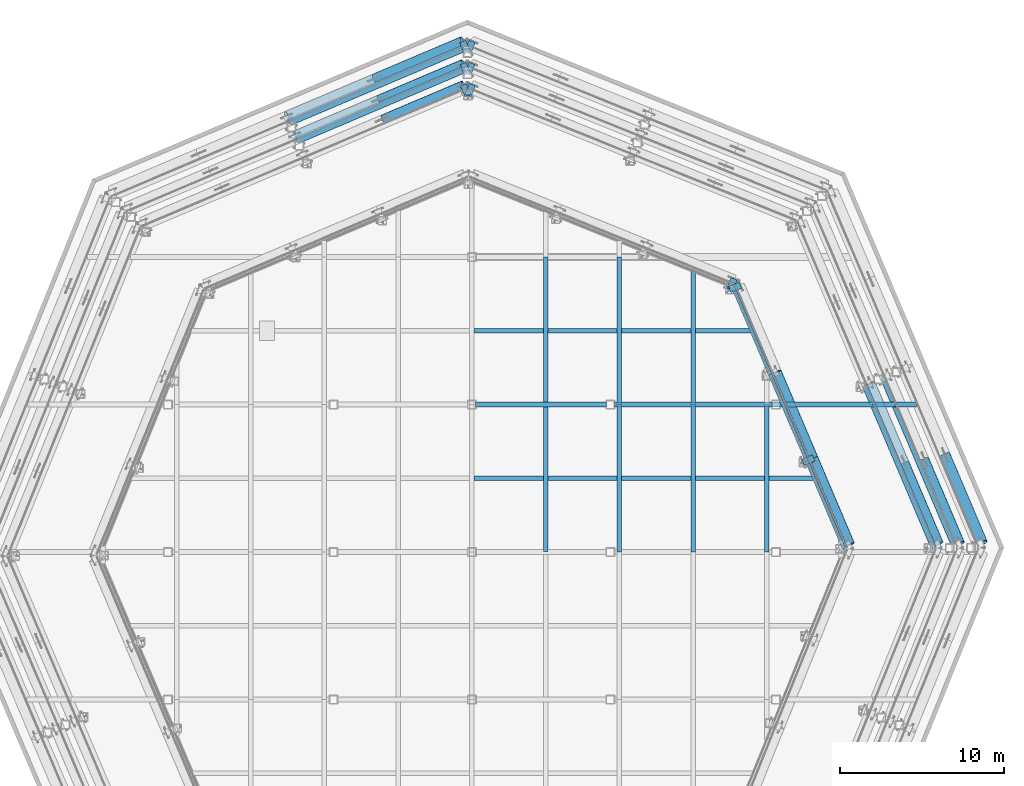
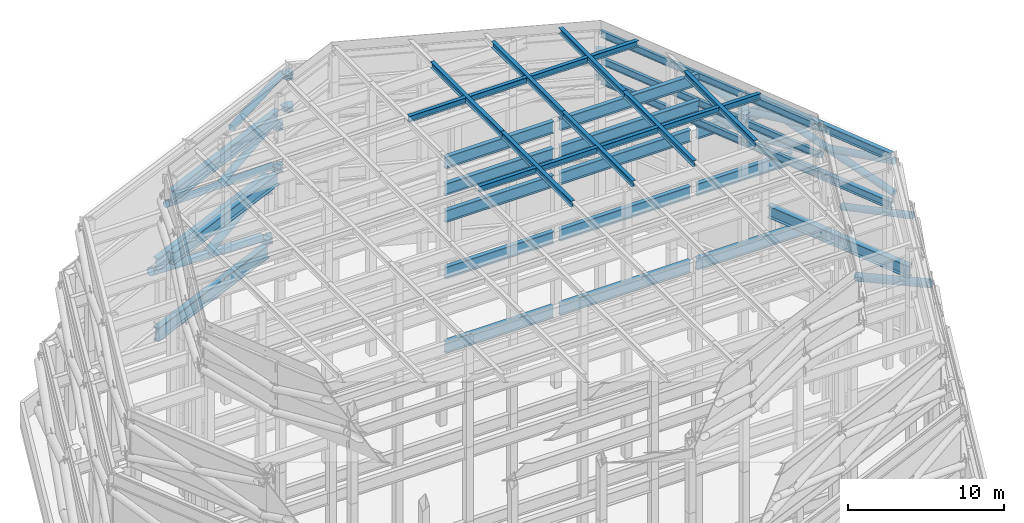
# One storey, part 11 of 19: 45 beams, 31 members.
"""IFC4 building model written with IfcOpenShell, lengths in metres."""

from ifc_helpers import new_model, si_unit, direction, frame, origin, origin_2d, place, context, subcontext, project, spatial, hollow_circle, i_section, extrude, material, material_profile, profile_set, type_object, element, save


model = new_model("IFC4")

# Units and contexts
model_context = context("Model", 3, precision=1e-05, world=origin(), true_north=direction((0.0, 1.0)))
body_context = subcontext(model_context, "Body", "Model", "MODEL_VIEW")
ifc_project = project(units=[si_unit("LENGTHUNIT", "METRE"), si_unit("AREAUNIT", "SQUARE_METRE"), si_unit("VOLUMEUNIT", "CUBIC_METRE"), si_unit("PLANEANGLEUNIT", "RADIAN"), si_unit("MASSUNIT", "GRAM", prefix="KILO")], contexts=[model_context])

# Site, building, storey
site_placement = place(None, origin())
site = spatial("IfcSite", under=ifc_project, at=site_placement, CompositionType="ELEMENT")
building_placement = place(site_placement, origin())
building = spatial("IfcBuilding", under=site, at=building_placement, Name="Orlundy Tower", CompositionType="ELEMENT")
storey_placement = place(building_placement, frame((0.0, 0.0, 304.300048828125)))
storey = spatial("IfcBuildingStorey", under=building, at=storey_placement, Name="Roof", CompositionType="ELEMENT", Elevation=304.300048828125)

# Beams
ifc_material_1 = material(Name="Steel ASTM A992 Gr 50", Category="steel")
ifc_material_profile_1 = material_profile(ifc_material_1, i_section(OverallWidth=0.2802734375, OverallDepth=0.46240234375, WebThickness=0.0107421875, FlangeThickness=0.017333984375, at=origin_2d()), Name="W18X76")
ifc_profile_set_1 = profile_set([ifc_material_profile_1], Name="Steel ASTM A992 Gr 50")
beam_type_1 = type_object("IfcBeamType", Name="CROWN FRAME beam W18X76", PredefinedType="BEAM", material=ifc_profile_set_1)
for number, where, z_axis, x_axis, name in (
    (1, (4.5, 0.0, 21.131103515625), (0.0, 1.0, 0.0), (-1.0, 0.0, 0.0), "CROWN FRAME secondary beam 07D"),
    (2, (4.5, 9.0, 21.131103515625), (0.0, 1.0, 0.0), (-1.0, 0.0, 0.0), "CROWN FRAME secondary beam 07E"),
    (3, (9.0, 0.0, 21.131103515625), (0.0, 1.0, 0.0), (-1.0, 0.0, 0.0), "CROWN FRAME secondary beam 08D"),
    (4, (9.0, 9.0, 21.131103515625), (0.0, 1.0, 0.0), (-1.0, 0.0, 0.0), "CROWN FRAME secondary beam 08E"),
    (5, (13.5, 0.0, 21.131103515625), (0.0, 1.0, 0.0), (-1.0, 0.0, 0.0), "CROWN FRAME secondary beam 09C"),
):
    element("IfcBeam", number, at=place(storey_placement, frame(where, z_axis=z_axis, x_axis=x_axis)), inside=storey, type_object=beam_type_1, Name=name, PredefinedType="BEAM", context=body_context, shape_type="SweptSolid", body=[
        extrude(i_section(OverallWidth=0.2802734375, OverallDepth=0.46240234375, WebThickness=0.0107421875, FlangeThickness=0.017333984375, at=origin_2d()), origin(), (0.0, 0.0, 1.0), 9.0),
    ])
beam_1_placement = place(storey_placement, frame((13.5, 9.0, 21.131103515625), z_axis=(0.0, 1.0, 0.0), x_axis=(-1.0, 0.0, 0.0)))
element("IfcBeam", 6, at=beam_1_placement, inside=storey, type_object=beam_type_1, Name="CROWN FRAME secondary beam 09D", PredefinedType="BEAM", context=body_context, shape_type="SweptSolid", body=[
    extrude(i_section(OverallWidth=0.2802734375, OverallDepth=0.46240234375, WebThickness=0.0107421875, FlangeThickness=0.017333984375, at=origin_2d()), origin(), (0.0, 0.0, 1.0), 8.180908203125),
])
beam_2_placement = place(storey_placement, frame((18.0, 0.0, 21.131103515625), z_axis=(0.0, 1.0, 0.0), x_axis=(-1.0, 0.0, 0.0)))
element("IfcBeam", 7, at=beam_2_placement, inside=storey, type_object=beam_type_1, Name="CROWN FRAME secondary beam 10C", PredefinedType="BEAM", context=body_context, shape_type="SweptSolid", body=[
    extrude(i_section(OverallWidth=0.2802734375, OverallDepth=0.46240234375, WebThickness=0.0107421875, FlangeThickness=0.017333984375, at=origin_2d()), origin(), (0.0, 0.0, 1.0), 9.0),
])
for number, where, z_axis, x_axis, name in (
    (8, (0.14013671875, 4.5, 21.131103515625), (1.0, 0.0, 0.0), (0.0, 1.0, 0.0), "CROWN FRAME cap cross beam 3F"),
    (9, (4.64013671875, 4.5, 21.131103515625), (1.0, 0.0, 0.0), (0.0, 1.0, 0.0), "CROWN FRAME cap cross beam 3G"),
    (10, (9.14013671875, 4.5, 21.131103515625), (1.0, 0.0, 0.0), (0.0, 1.0, 0.0), "CROWN FRAME cap cross beam 3H"),
    (11, (13.64013671875, 4.5, 21.131103515625), (1.0, 0.0, 0.0), (0.0, 1.0, 0.0), "CROWN FRAME cap cross beam 3I"),
):
    element("IfcBeam", number, at=place(storey_placement, frame(where, z_axis=z_axis, x_axis=x_axis)), inside=storey, type_object=beam_type_1, Name=name, PredefinedType="BEAM", context=body_context, shape_type="SweptSolid", body=[
        extrude(i_section(OverallWidth=0.2802734375, OverallDepth=0.46240234375, WebThickness=0.0107421875, FlangeThickness=0.017333984375, at=origin_2d()), origin(), (0.0, 0.0, 1.0), 4.2197265625),
    ])
beam_3_placement = place(storey_placement, frame((18.14013671875, 4.5, 21.131103515625), z_axis=(1.0, 0.0, 0.0), x_axis=(0.0, 1.0, 0.0)))
element("IfcBeam", 12, at=beam_3_placement, inside=storey, type_object=beam_type_1, Name="CROWN FRAME cap cross beam 3J", PredefinedType="BEAM", context=body_context, shape_type="SweptSolid", body=[
    extrude(i_section(OverallWidth=0.2802734375, OverallDepth=0.46240234375, WebThickness=0.0107421875, FlangeThickness=0.017333984375, at=origin_2d()), origin(), (0.0, 0.0, 1.0), 2.749267578125),
])
for number, where, z_axis, x_axis, name in (
    (13, (0.14013671875, 13.5, 21.131103515625), (1.0, 0.0, 0.0), (0.0, 1.0, 0.0), "CROWN FRAME cap cross beam 4E"),
    (14, (4.64013671875, 13.5, 21.131103515625), (1.0, 0.0, 0.0), (0.0, 1.0, 0.0), "CROWN FRAME cap cross beam 4F"),
    (15, (9.14013671875, 13.5, 21.131103515625), (1.0, 0.0, 0.0), (0.0, 1.0, 0.0), "CROWN FRAME cap cross beam 4G"),
):
    element("IfcBeam", number, at=place(storey_placement, frame(where, z_axis=z_axis, x_axis=x_axis)), inside=storey, type_object=beam_type_1, Name=name, PredefinedType="BEAM", context=body_context, shape_type="SweptSolid", body=[
        extrude(i_section(OverallWidth=0.2802734375, OverallDepth=0.46240234375, WebThickness=0.0107421875, FlangeThickness=0.017333984375, at=origin_2d()), origin(), (0.0, 0.0, 1.0), 4.2197265625),
    ])
beam_4_placement = place(storey_placement, frame((13.64013671875, 13.5, 21.131103515625), z_axis=(1.0, 0.0, 0.0), x_axis=(0.0, 1.0, 0.0)))
element("IfcBeam", 16, at=beam_4_placement, inside=storey, type_object=beam_type_1, Name="CROWN FRAME cap cross beam 4H", PredefinedType="BEAM", context=body_context, shape_type="SweptSolid", body=[
    extrude(i_section(OverallWidth=0.2802734375, OverallDepth=0.46240234375, WebThickness=0.0107421875, FlangeThickness=0.017333984375, at=origin_2d()), origin(), (0.0, 0.0, 1.0), 3.4287109375),
])
ifc_material_2 = material(Name="Steel ASTM A992 Gr 50", Category="steel")
ifc_material_profile_2 = material_profile(ifc_material_2, i_section(OverallWidth=0.2138671875, OverallDepth=0.549072265625, WebThickness=0.0146484375, FlangeThickness=0.023681640625, at=origin_2d()), Name="W21X93")
ifc_profile_set_2 = profile_set([ifc_material_profile_2], Name="Steel ASTM A992 Gr 50")
beam_type_2 = type_object("IfcBeamType", Name="CROWN FRAME beam W21X93", PredefinedType="BEAM", material=ifc_profile_set_2)
beam_5_placement = place(storey_placement, frame((22.715087890625, 0.198486328125, 16.974365234375), z_axis=(-0.390721951602, 0.920508748756, 0.0), x_axis=(-0.920508748756, -0.390721951602, 0.0)))
element("IfcBeam", 17, at=beam_5_placement, inside=storey, type_object=beam_type_2, Name="CROWN FRAME foot ring beam 4-22", PredefinedType="BEAM", context=body_context, shape_type="SweptSolid", body=[
    extrude(i_section(OverallWidth=0.2138671875, OverallDepth=0.549072265625, WebThickness=0.0146484375, FlangeThickness=0.023681640625, at=origin_2d()), origin(), (0.0, 0.0, 1.0), 5.82861328125),
])
beam_6_placement = place(storey_placement, frame((20.437744140625, 5.563720703125, 16.974365234375), z_axis=(-0.390743549049, 0.920499581139, 0.0), x_axis=(-0.920499581139, -0.390743549049, 0.0)))
element("IfcBeam", 18, at=beam_6_placement, inside=storey, type_object=beam_type_2, Name="CROWN FRAME foot ring beam 4-23", PredefinedType="BEAM", context=body_context, shape_type="SweptSolid", body=[
    extrude(i_section(OverallWidth=0.2138671875, OverallDepth=0.549072265625, WebThickness=0.0146484375, FlangeThickness=0.023681640625, at=origin_2d()), origin(), (0.0, 0.0, 1.0), 5.72900390625),
])
for number, where, z_axis, x_axis, name in (
    (19, (18.19921875, 10.837158203125, 16.974365234375), (-0.390721951602, 0.920508748756, 0.0), (-0.920508748756, -0.390721951602, 0.0), "CROWN FRAME foot ring beam 4-24"),
    (20, (22.715087890625, 0.198486328125, 18.525390625), (-0.390721951602, 0.920508748756, 0.0), (-0.920508748756, -0.390721951602, 0.0), "CROWN FRAME head ring beam 4-22"),
):
    element("IfcBeam", number, at=place(storey_placement, frame(where, z_axis=z_axis, x_axis=x_axis)), inside=storey, type_object=beam_type_2, Name=name, PredefinedType="BEAM", context=body_context, shape_type="SweptSolid", body=[
        extrude(i_section(OverallWidth=0.2138671875, OverallDepth=0.549072265625, WebThickness=0.0146484375, FlangeThickness=0.023681640625, at=origin_2d()), origin(), (0.0, 0.0, 1.0), 5.82861328125),
    ])
beam_7_placement = place(storey_placement, frame((20.437744140625, 5.563720703125, 18.525390625), z_axis=(-0.390743549049, 0.920499581139, 0.0), x_axis=(-0.920499581139, -0.390743549049, 0.0)))
element("IfcBeam", 21, at=beam_7_placement, inside=storey, type_object=beam_type_2, Name="CROWN FRAME head ring beam 4-23", PredefinedType="BEAM", context=body_context, shape_type="SweptSolid", body=[
    extrude(i_section(OverallWidth=0.2138671875, OverallDepth=0.549072265625, WebThickness=0.0146484375, FlangeThickness=0.023681640625, at=origin_2d()), origin(), (0.0, 0.0, 1.0), 5.72900390625),
])
for number, where, z_axis, x_axis, name in (
    (22, (18.19921875, 10.837158203125, 18.525390625), (-0.390721951602, 0.920508748756, 0.0), (-0.920508748756, -0.390721951602, 0.0), "CROWN FRAME head ring beam 4-24"),
    (23, (22.715087890625, 0.198486328125, 20.62548828125), (-0.390721951602, 0.920508748756, 0.0), (-0.920508748756, -0.390721951602, 0.0), "CROWN FRAME head ring beam 5-22"),
):
    element("IfcBeam", number, at=place(storey_placement, frame(where, z_axis=z_axis, x_axis=x_axis)), inside=storey, type_object=beam_type_2, Name=name, PredefinedType="BEAM", context=body_context, shape_type="SweptSolid", body=[
        extrude(i_section(OverallWidth=0.2138671875, OverallDepth=0.549072265625, WebThickness=0.0146484375, FlangeThickness=0.023681640625, at=origin_2d()), origin(), (0.0, 0.0, 1.0), 5.82861328125),
    ])
beam_8_placement = place(storey_placement, frame((20.437744140625, 5.563720703125, 20.62548828125), z_axis=(-0.390743549049, 0.920499581139, 0.0), x_axis=(-0.920499581139, -0.390743549049, 0.0)))
element("IfcBeam", 24, at=beam_8_placement, inside=storey, type_object=beam_type_2, Name="CROWN FRAME head ring beam 5-23", PredefinedType="BEAM", context=body_context, shape_type="SweptSolid", body=[
    extrude(i_section(OverallWidth=0.2138671875, OverallDepth=0.549072265625, WebThickness=0.0146484375, FlangeThickness=0.023681640625, at=origin_2d()), origin(), (0.0, 0.0, 1.0), 5.72900390625),
])
beam_9_placement = place(storey_placement, frame((18.19921875, 10.837158203125, 20.62548828125), z_axis=(-0.390721951602, 0.920508748756, 0.0), x_axis=(-0.920508748756, -0.390721951602, 0.0)))
element("IfcBeam", 25, at=beam_9_placement, inside=storey, type_object=beam_type_2, Name="CROWN FRAME head ring beam 5-24", PredefinedType="BEAM", context=body_context, shape_type="SweptSolid", body=[
    extrude(i_section(OverallWidth=0.2138671875, OverallDepth=0.549072265625, WebThickness=0.0146484375, FlangeThickness=0.023681640625, at=origin_2d()), origin(), (0.0, 0.0, 1.0), 5.82861328125),
])
ifc_material_3 = material(Name="Steel ASTM A992 Gr 50", Category="steel")
ifc_material_profile_3 = material_profile(ifc_material_3, i_section(OverallWidth=0.3291015625, OverallDepth=0.635009765625, WebThickness=0.017822265625, FlangeThickness=0.031005859375, at=origin_2d()), Name="W24X162")
ifc_profile_set_3 = profile_set([ifc_material_profile_3], Name="Steel ASTM A992 Gr 50")
beam_type_3 = type_object("IfcBeamType", Name="CROWN FRAME beam W24X162", PredefinedType="BEAM", material=ifc_profile_set_3)
for number, where, z_axis, x_axis, name in (
    (26, (28.189208984375, 0.24609375, 12.617431640625), (-0.390721288437, 0.920509030245, 0.0), (-0.920509030245, -0.390721288437, 0.0), "CROWN FRAME foot ring beam 3-15"),
    (27, (28.189208984375, 0.24609375, 16.382568359375), (-0.390721288437, 0.920509030245, 0.0), (-0.920509030245, -0.390721288437, 0.0), "CROWN FRAME head ring beam 3-15"),
):
    element("IfcBeam", number, at=place(storey_placement, frame(where, z_axis=z_axis, x_axis=x_axis)), inside=storey, type_object=beam_type_3, Name=name, PredefinedType="BEAM", context=body_context, shape_type="SweptSolid", body=[
        extrude(i_section(OverallWidth=0.3291015625, OverallDepth=0.635009765625, WebThickness=0.017822265625, FlangeThickness=0.031005859375, at=origin_2d()), origin(), (0.0, 0.0, 1.0), 10.7880859375),
    ])
ifc_material_4 = material(Name="Steel ASTM A992 Gr 50", Category="steel")
ifc_material_profile_4 = material_profile(ifc_material_4, i_section(OverallWidth=0.3076171875, OverallDepth=0.9267578125, WebThickness=0.01953125, FlangeThickness=0.031982421875, at=origin_2d()), Name="W36X194")
ifc_profile_set_4 = profile_set([ifc_material_profile_4], Name="Steel ASTM A992 Gr 50")
beam_type_4 = type_object("IfcBeamType", Name="CROWN FRAME beam W36X194", PredefinedType="BEAM", material=ifc_profile_set_4)
beam_10_placement = place(storey_placement, frame((0.228515625, 9.0, 6.03662109375), z_axis=(1.0, 0.0, 0.0), x_axis=(0.0, 1.0, 0.0)))
element("IfcBeam", 28, at=beam_10_placement, inside=storey, type_object=beam_type_4, Name="CROWN FRAME primary beam 4D frame 1", PredefinedType="BEAM", context=body_context, shape_type="SweptSolid", body=[
    extrude(i_section(OverallWidth=0.3076171875, OverallDepth=0.9267578125, WebThickness=0.01953125, FlangeThickness=0.031982421875, at=origin_2d()), origin(), (0.0, 0.0, 1.0), 7.992919921875),
])
beam_11_placement = place(storey_placement, frame((8.6787109375, 9.0, 6.03662109375), z_axis=(1.0, 0.0, 0.0), x_axis=(0.0, 1.0, 0.0)))
element("IfcBeam", 29, at=beam_11_placement, inside=storey, type_object=beam_type_4, Name="CROWN FRAME primary beam 4E frame 1", PredefinedType="BEAM", context=body_context, shape_type="SweptSolid", body=[
    extrude(i_section(OverallWidth=0.3076171875, OverallDepth=0.9267578125, WebThickness=0.01953125, FlangeThickness=0.031982421875, at=origin_2d()), origin(), (0.0, 0.0, 1.0), 9.642578125),
])
beam_12_placement = place(storey_placement, frame((18.778564453125, 9.0, 6.03662109375), z_axis=(1.0, 0.0, 0.0), x_axis=(0.0, 1.0, 0.0)))
element("IfcBeam", 30, at=beam_12_placement, inside=storey, type_object=beam_type_4, Name="CROWN FRAME primary beam 4F frame 1", PredefinedType="BEAM", context=body_context, shape_type="SweptSolid", body=[
    extrude(i_section(OverallWidth=0.3076171875, OverallDepth=0.9267578125, WebThickness=0.01953125, FlangeThickness=0.031982421875, at=origin_2d()), origin(), (0.0, 0.0, 1.0), 8.353271484375),
])
beam_13_placement = place(storey_placement, frame((0.228515625, 9.0, 11.836669921875), z_axis=(1.0, 0.0, 0.0), x_axis=(0.0, 1.0, 0.0)))
element("IfcBeam", 31, at=beam_13_placement, inside=storey, type_object=beam_type_4, Name="CROWN FRAME primary beam 4D frame 2", PredefinedType="BEAM", context=body_context, shape_type="SweptSolid", body=[
    extrude(i_section(OverallWidth=0.3076171875, OverallDepth=0.9267578125, WebThickness=0.01953125, FlangeThickness=0.031982421875, at=origin_2d()), origin(), (0.0, 0.0, 1.0), 7.992919921875),
])
beam_14_placement = place(storey_placement, frame((8.6787109375, 9.0, 11.836669921875), z_axis=(1.0, 0.0, 0.0), x_axis=(0.0, 1.0, 0.0)))
element("IfcBeam", 32, at=beam_14_placement, inside=storey, type_object=beam_type_4, Name="CROWN FRAME primary beam 4E frame 2", PredefinedType="BEAM", context=body_context, shape_type="SweptSolid", body=[
    extrude(i_section(OverallWidth=0.3076171875, OverallDepth=0.9267578125, WebThickness=0.01953125, FlangeThickness=0.031982421875, at=origin_2d()), origin(), (0.0, 0.0, 1.0), 9.642578125),
])
beam_15_placement = place(storey_placement, frame((18.778564453125, 9.0, 11.836669921875), z_axis=(1.0, 0.0, 0.0), x_axis=(0.0, 1.0, 0.0)))
element("IfcBeam", 33, at=beam_15_placement, inside=storey, type_object=beam_type_4, Name="CROWN FRAME primary beam 4F frame 2", PredefinedType="BEAM", context=body_context, shape_type="SweptSolid", body=[
    extrude(i_section(OverallWidth=0.3076171875, OverallDepth=0.9267578125, WebThickness=0.01953125, FlangeThickness=0.031982421875, at=origin_2d()), origin(), (0.0, 0.0, 1.0), 7.049560546875),
])
beam_16_placement = place(storey_placement, frame((0.228515625, 9.0, 16.236572265625), z_axis=(1.0, 0.0, 0.0), x_axis=(0.0, 1.0, 0.0)))
element("IfcBeam", 34, at=beam_16_placement, inside=storey, type_object=beam_type_4, Name="CROWN FRAME primary beam 4D frame 3", PredefinedType="BEAM", context=body_context, shape_type="SweptSolid", body=[
    extrude(i_section(OverallWidth=0.3076171875, OverallDepth=0.9267578125, WebThickness=0.01953125, FlangeThickness=0.031982421875, at=origin_2d()), origin(), (0.0, 0.0, 1.0), 7.992919921875),
])
beam_17_placement = place(storey_placement, frame((8.6787109375, 9.0, 16.236572265625), z_axis=(1.0, 0.0, 0.0), x_axis=(0.0, 1.0, 0.0)))
element("IfcBeam", 35, at=beam_17_placement, inside=storey, type_object=beam_type_4, Name="CROWN FRAME primary beam 4E frame 3", PredefinedType="BEAM", context=body_context, shape_type="SweptSolid", body=[
    extrude(i_section(OverallWidth=0.3076171875, OverallDepth=0.9267578125, WebThickness=0.01953125, FlangeThickness=0.031982421875, at=origin_2d()), origin(), (0.0, 0.0, 1.0), 9.642578125),
])
beam_18_placement = place(storey_placement, frame((18.778564453125, 9.0, 16.236572265625), z_axis=(1.0, 0.0, 0.0), x_axis=(0.0, 1.0, 0.0)))
element("IfcBeam", 36, at=beam_18_placement, inside=storey, type_object=beam_type_4, Name="CROWN FRAME primary beam 4F frame 3", PredefinedType="BEAM", context=body_context, shape_type="SweptSolid", body=[
    extrude(i_section(OverallWidth=0.3076171875, OverallDepth=0.9267578125, WebThickness=0.01953125, FlangeThickness=0.031982421875, at=origin_2d()), origin(), (0.0, 0.0, 1.0), 5.69482421875),
])
beam_19_placement = place(storey_placement, frame((0.228515625, 9.0, 18.336669921875), z_axis=(1.0, 0.0, 0.0), x_axis=(0.0, 1.0, 0.0)))
element("IfcBeam", 37, at=beam_19_placement, inside=storey, type_object=beam_type_4, Name="CROWN FRAME primary beam 4C frame 4", PredefinedType="BEAM", context=body_context, shape_type="SweptSolid", body=[
    extrude(i_section(OverallWidth=0.3076171875, OverallDepth=0.9267578125, WebThickness=0.01953125, FlangeThickness=0.031982421875, at=origin_2d()), origin(), (0.0, 0.0, 1.0), 7.992919921875),
])
beam_20_placement = place(storey_placement, frame((8.6787109375, 9.0, 18.336669921875), z_axis=(1.0, 0.0, 0.0), x_axis=(0.0, 1.0, 0.0)))
element("IfcBeam", 38, at=beam_20_placement, inside=storey, type_object=beam_type_4, Name="CROWN FRAME primary beam 4D frame 4", PredefinedType="BEAM", context=body_context, shape_type="SweptSolid", body=[
    extrude(i_section(OverallWidth=0.3076171875, OverallDepth=0.9267578125, WebThickness=0.01953125, FlangeThickness=0.031982421875, at=origin_2d()), origin(), (0.0, 0.0, 1.0), 10.30029296875),
])
beam_21_placement = place(storey_placement, frame((0.228515625, 9.0, 20.4365234375), z_axis=(1.0, 0.0, 0.0), x_axis=(0.0, 1.0, 0.0)))
element("IfcBeam", 39, at=beam_21_placement, inside=storey, type_object=beam_type_4, Name="CROWN FRAME primary beam 4C frame 5", PredefinedType="BEAM", context=body_context, shape_type="SweptSolid", body=[
    extrude(i_section(OverallWidth=0.3076171875, OverallDepth=0.9267578125, WebThickness=0.01953125, FlangeThickness=0.031982421875, at=origin_2d()), origin(), (0.0, 0.0, 1.0), 7.992919921875),
])
beam_22_placement = place(storey_placement, frame((8.6787109375, 9.0, 20.4365234375), z_axis=(1.0, 0.0, 0.0), x_axis=(0.0, 1.0, 0.0)))
element("IfcBeam", 40, at=beam_22_placement, inside=storey, type_object=beam_type_4, Name="CROWN FRAME primary beam 4D frame 5", PredefinedType="BEAM", context=body_context, shape_type="SweptSolid", body=[
    extrude(i_section(OverallWidth=0.3076171875, OverallDepth=0.9267578125, WebThickness=0.01953125, FlangeThickness=0.031982421875, at=origin_2d()), origin(), (0.0, 0.0, 1.0), 10.30029296875),
])
ifc_material_5 = material(Name="Steel ASTM A992 Gr 50", Category="steel")
ifc_material_profile_5 = material_profile(ifc_material_5, i_section(OverallWidth=0.423095703125, OverallDepth=0.947265625, WebThickness=0.02392578125, FlangeThickness=0.042724609375, at=origin_2d()), Name="W36X302")
ifc_profile_set_5 = profile_set([ifc_material_profile_5], Name="Steel ASTM A992 Gr 50")
beam_type_5 = type_object("IfcBeamType", Name="CROWN FRAME beam W36X302", PredefinedType="BEAM", material=ifc_profile_set_5)
beam_23_placement = place(storey_placement, frame((-0.269287109375, 30.837890625, 6.0263671875), z_axis=(-0.920503781258, -0.390733654412, 0.0), x_axis=(0.390733654412, -0.920503781258, 0.0)))
element("IfcBeam", 41, at=beam_23_placement, inside=storey, type_object=beam_type_5, Name="CROWN FRAME head ring beam 1-03", PredefinedType="BEAM", context=body_context, shape_type="SweptSolid", body=[
    extrude(i_section(OverallWidth=0.423095703125, OverallDepth=0.947265625, WebThickness=0.02392578125, FlangeThickness=0.042724609375, at=origin_2d()), origin(), (0.0, 0.0, 1.0), 11.8017578125),
])
for number, where, z_axis, x_axis, name in (
    (42, (-0.2578125, 29.5390625, 6.9736328125), (-0.92050011589, -0.390742289299, 0.0), (0.390742289299, -0.92050011589, 0.0), "CROWN FRAME foot ring beam 2-03"),
    (43, (29.5390625, 0.2578125, 6.9736328125), (-0.390742289299, 0.92050011589, 0.0), (-0.92050011589, -0.390742289299, 0.0), "CROWN FRAME foot ring beam 2-15"),
    (44, (-0.2578125, 29.5390625, 11.826416015625), (-0.92050011589, -0.390742289299, 0.0), (0.390742289299, -0.92050011589, 0.0), "CROWN FRAME head ring beam 2-03"),
):
    element("IfcBeam", number, at=place(storey_placement, frame(where, z_axis=z_axis, x_axis=x_axis)), inside=storey, type_object=beam_type_5, Name=name, PredefinedType="BEAM", context=body_context, shape_type="SweptSolid", body=[
        extrude(i_section(OverallWidth=0.423095703125, OverallDepth=0.947265625, WebThickness=0.02392578125, FlangeThickness=0.042724609375, at=origin_2d()), origin(), (0.0, 0.0, 1.0), 11.3046875),
    ])
ifc_material_6 = material(Name="Steel ASTM A992 Gr 50", Category="steel")
ifc_material_profile_6 = material_profile(ifc_material_6, i_section(OverallWidth=0.41650390625, OverallDepth=1.068115234375, WebThickness=0.0390625, FlangeThickness=0.070068359375, at=origin_2d()), Name="W40X503")
ifc_profile_set_6 = profile_set([ifc_material_profile_6], Name="Steel ASTM A992 Gr 50")
beam_type_6 = type_object("IfcBeamType", Name="CROWN FRAME beam W40X503", PredefinedType="BEAM", material=ifc_profile_set_6)
beam_24_placement = place(storey_placement, frame((-0.269287109375, 30.834228515625, 0.533935546875), z_axis=(-0.92050715321, -0.390725710556, 0.0), x_axis=(0.390725710556, -0.92050715321, 0.0)))
element("IfcBeam", 45, at=beam_24_placement, inside=storey, type_object=beam_type_6, Name="CROWN FRAME foot ring beam 1-03", PredefinedType="BEAM", context=body_context, shape_type="SweptSolid", body=[
    extrude(i_section(OverallWidth=0.41650390625, OverallDepth=1.068115234375, WebThickness=0.0390625, FlangeThickness=0.070068359375, at=origin_2d()), origin(), (0.0, 0.0, 1.0), 11.800048828125),
])

# Members
ifc_material_7 = material(Name="Steel ASTM A500 Gr C", Category="steel")
ifc_material_profile_7 = material_profile(ifc_material_7, hollow_circle(Radius=0.25390625, WallThickness=0.01171875, at=origin_2d()), Name="HSS20.000X0.500")
ifc_profile_set_7 = profile_set([ifc_material_profile_7], Name="Steel ASTM A500 Gr C")
member_type_1 = type_object("IfcMemberType", Name="CROWN FRAME diagonal HSS20.000X0.500", PredefinedType="BRACE", material=ifc_profile_set_7)
member_1_placement = place(storey_placement, frame((-0.53125, 29.816650390625, 7.7470703125), z_axis=(-0.882610370828, -0.374642232115, 0.283975582088), x_axis=(0.390727909284, -0.920506219917, 0.0)))
element("IfcMember", 46, at=member_1_placement, inside=storey, type_object=member_type_1, Name="CROWN FRAME brace 2-03a", PredefinedType="BRACE", context=body_context, shape_type="SweptSolid", body=[
    extrude(hollow_circle(Radius=0.25390625, WallThickness=0.01171875, at=origin_2d()), origin(), (0.0, 0.0, 1.0), 11.640625),
])
for number, where, z_axis, x_axis, name in (
    (47, (-5.66845703125, 27.63623046875, 9.39990234375), (0.882621940422, 0.374617267841, 0.283972556632), (-0.390701508026, 0.920517426031, 0.0), "CROWN FRAME brace 2-03bb"),
    (48, (27.63623046875, 5.66845703125, 9.39990234375), (0.374617267841, -0.882621940422, 0.283972556632), (0.920517426031, 0.390701508026, 0.0), "CROWN FRAME brace 2-15bb"),
):
    element("IfcMember", number, at=place(storey_placement, frame(where, z_axis=z_axis, x_axis=x_axis)), inside=storey, type_object=member_type_1, Name=name, PredefinedType="BRACE", context=body_context, shape_type="SweptSolid", body=[
        extrude(hollow_circle(Radius=0.25390625, WallThickness=0.01171875, at=origin_2d()), origin(), (0.0, 0.0, 1.0), 5.8203125),
    ])
member_2_placement = place(storey_placement, frame((-5.42822265625, 26.4345703125, 14.5), z_axis=(0.895658252416, 0.38015578332, 0.230820006256), x_axis=(-0.390706231965, 0.920515421003, 0.0)))
element("IfcMember", 49, at=member_2_placement, inside=storey, type_object=member_type_1, Name="CROWN FRAME brace 3-03bb", PredefinedType="BRACE", context=body_context, shape_type="SweptSolid", body=[
    extrude(hollow_circle(Radius=0.25390625, WallThickness=0.01171875, at=origin_2d()), origin(), (0.0, 0.0, 1.0), 5.47998046875),
])
member_3_placement = place(storey_placement, frame((28.517822265625, 0.52001953125, 13.23486328125), z_axis=(-0.380172884687, 0.895646062431, 0.230839140096), x_axis=(-0.920507187078, -0.390725630766, 0.0)))
element("IfcMember", 50, at=member_3_placement, inside=storey, type_object=member_type_1, Name="CROWN FRAME brace 3-15a", PredefinedType="BRACE", context=body_context, shape_type="SweptSolid", body=[
    extrude(hollow_circle(Radius=0.25390625, WallThickness=0.01171875, at=origin_2d()), origin(), (0.0, 0.0, 1.0), 10.960205078125),
])
member_4_placement = place(storey_placement, frame((26.4345703125, 5.42822265625, 14.5), z_axis=(0.38015578332, -0.895658252416, 0.230820006256), x_axis=(0.920515421003, 0.390706231965, 0.0)))
element("IfcMember", 51, at=member_4_placement, inside=storey, type_object=member_type_1, Name="CROWN FRAME brace 3-15bb", PredefinedType="BRACE", context=body_context, shape_type="SweptSolid", body=[
    extrude(hollow_circle(Radius=0.25390625, WallThickness=0.01171875, at=origin_2d()), origin(), (0.0, 0.0, 1.0), 5.47998046875),
])
for number, where, z_axis, x_axis, name in (
    (52, (20.86767578125, 5.74609375, 17.299072265625), (0.385990047996, -0.909301454544, 0.155507387643), (0.920499581139, 0.390743549049, 0.0), "CROWN FRAME brace 4-22b"),
    (53, (20.86767578125, 5.74609375, 17.299072265625), (-0.385990047996, 0.909301454544, 0.155507387643), (-0.920499581139, -0.390743549049, 0.0), "CROWN FRAME brace 4-23a"),
):
    element("IfcMember", number, at=place(storey_placement, frame(where, z_axis=z_axis, x_axis=x_axis)), inside=storey, type_object=member_type_1, Name=name, PredefinedType="BRACE", context=body_context, shape_type="SweptSolid", body=[
        extrude(hollow_circle(Radius=0.25390625, WallThickness=0.01171875, at=origin_2d()), origin(), (0.0, 0.0, 1.0), 5.79931640625),
    ])
for number, where, z_axis, x_axis, name in (
    (54, (20.86767578125, 5.74609375, 19.099853515625), (0.382431227207, -0.900917712693, 0.205167325404), (0.920499581139, 0.390743549049, 0.0), "CROWN FRAME brace 5-22b"),
    (55, (20.86767578125, 5.74609375, 19.099853515625), (-0.382431227207, 0.900917712693, 0.205167325404), (-0.920499581139, -0.390743549049, 0.0), "CROWN FRAME brace 5-23a"),
):
    element("IfcMember", number, at=place(storey_placement, frame(where, z_axis=z_axis, x_axis=x_axis)), inside=storey, type_object=member_type_1, Name=name, PredefinedType="BRACE", context=body_context, shape_type="SweptSolid", body=[
        extrude(hollow_circle(Radius=0.25390625, WallThickness=0.01171875, at=origin_2d()), origin(), (0.0, 0.0, 1.0), 5.853515625),
    ])
ifc_material_8 = material(Name="Steel ASTM A1085 Gr A", Category="steel")
ifc_material_profile_8 = material_profile(ifc_material_8, hollow_circle(Radius=0.3046875, WallThickness=0.023681640625, at=origin_2d()), Name="HSS24.000X1.000")
ifc_profile_set_8 = profile_set([ifc_material_profile_8], Name="Steel ASTM A1085 Gr A")
member_type_2 = type_object("IfcMemberType", Name="CROWN FRAME diagonal HSS24.000X1.000", PredefinedType="BRACE", material=ifc_profile_set_8)
member_5_placement = place(storey_placement, frame((-0.5625, 31.162353515625, 1.3681640625), z_axis=(-0.873302092117, -0.370701907246, 0.316106867795), x_axis=(0.390737525222, -0.920502138174, 0.0)))
element("IfcMember", 56, at=member_5_placement, inside=storey, type_object=member_type_2, Name="CROWN FRAME brace 1-03a", PredefinedType="BRACE", context=body_context, shape_type="SweptSolid", body=[
    extrude(hollow_circle(Radius=0.3046875, WallThickness=0.023681640625, at=origin_2d()), origin(), (0.0, 0.0, 1.0), 12.28857421875),
])
for number, where, z_axis, x_axis, name in (
    (57, (-5.92822265625, 28.884521484375, 3.310302734375), (0.873285460024, 0.370723147785, 0.316127906086), (-0.390762801081, 0.920491408592, 0.0), "CROWN FRAME brace 1-03bb"),
    (58, (28.884521484375, 5.92822265625, 3.310302734375), (0.370723147785, -0.873285460024, 0.316127906086), (0.920491408592, 0.390762801081, 0.0), "CROWN FRAME brace 1-15bb"),
):
    element("IfcMember", number, at=place(storey_placement, frame(where, z_axis=z_axis, x_axis=x_axis)), inside=storey, type_object=member_type_2, Name=name, PredefinedType="BRACE", context=body_context, shape_type="SweptSolid", body=[
        extrude(hollow_circle(Radius=0.3046875, WallThickness=0.023681640625, at=origin_2d()), origin(), (0.0, 0.0, 1.0), 6.144287109375),
    ])
ifc_material_9 = material(Name="Steel ASTM A992 Gr 50", Category="steel")
ifc_material_profile_9 = material_profile(ifc_material_9, i_section(OverallWidth=0.39892578125, OverallDepth=0.393310546875, WebThickness=0.022705078125, FlangeThickness=0.03662109375, at=origin_2d()), Name="W14X193")
ifc_profile_set_9 = profile_set([ifc_material_profile_9], Name="Steel ASTM A992 Gr 50")
member_type_3 = type_object("IfcMemberType", Name="CROWN FRAME strut W14X193", PredefinedType="STRUT", material=ifc_profile_set_9)
for number, where, z_axis, x_axis, name in (
    (59, (-0.26611328125, 30.4638671875, 5.252685546875), (0.374771526163, 0.927117200346, 0.0), (-0.927117200346, 0.374771526163, 0.0), "CROWN FRAME brace connector 1-02A1"),
    (60, (-0.26611328125, 30.4638671875, 1.3681640625), (0.374771526163, 0.927117200346, 0.0), (-0.927117200346, 0.374771526163, 0.0), "CROWN FRAME brace connector 1-02B0"),
):
    element("IfcMember", number, at=place(storey_placement, frame(where, z_axis=z_axis, x_axis=x_axis)), inside=storey, type_object=member_type_3, Name=name, PredefinedType="STRUT", context=body_context, shape_type="SweptSolid", body=[
        extrude(i_section(OverallWidth=0.39892578125, OverallDepth=0.393310546875, WebThickness=0.022705078125, FlangeThickness=0.03662109375, at=origin_2d()), origin(), (0.0, 0.0, 1.0), 0.759033203125),
    ])
for number, where, z_axis, x_axis, name in (
    (61, (-0.26611328125, 30.4638671875, 1.3681640625), (-0.390615950511, 0.9205537351, 0.0), (-0.9205537351, -0.390615950511, 0.0), "CROWN FRAME brace connector 1-03A0"),
    (62, (-0.26611328125, 30.4638671875, 5.252685546875), (-0.390615950511, 0.9205537351, 0.0), (-0.9205537351, -0.390615950511, 0.0), "CROWN FRAME brace connector 1-03B1"),
):
    element("IfcMember", number, at=place(storey_placement, frame(where, z_axis=z_axis, x_axis=x_axis)), inside=storey, type_object=member_type_3, Name=name, PredefinedType="STRUT", context=body_context, shape_type="SweptSolid", body=[
        extrude(i_section(OverallWidth=0.39892578125, OverallDepth=0.393310546875, WebThickness=0.022705078125, FlangeThickness=0.03662109375, at=origin_2d()), origin(), (0.0, 0.0, 1.0), 0.7587890625),
    ])
for number, where, z_axis, x_axis, name in (
    (63, (-0.254638671875, 29.1650390625, 11.052734375), (0.374480153744, 0.927234929482, 0.0), (-0.927234929482, 0.374480153744, 0.0), "CROWN FRAME brace connector 2-02A1"),
    (64, (-0.254638671875, 29.1650390625, 7.7470703125), (0.374480153744, 0.927234929482, 0.0), (-0.927234929482, 0.374480153744, 0.0), "CROWN FRAME brace connector 2-02B0"),
    (65, (-0.254638671875, 29.1650390625, 7.7470703125), (-0.390753546975, 0.920495337048, 0.0), (-0.920495337048, -0.390753546975, 0.0), "CROWN FRAME brace connector 2-03A0"),
    (66, (-0.254638671875, 29.1650390625, 11.052734375), (-0.390753546975, 0.920495337048, 0.0), (-0.920495337048, -0.390753546975, 0.0), "CROWN FRAME brace connector 2-03B1"),
    (67, (-0.243408203125, 27.8662109375, 15.764892578125), (0.374776564809, 0.927115163542, 0.0), (-0.927115163542, 0.374776564809, 0.0), "CROWN FRAME brace connector 3-02A1"),
    (68, (-0.243408203125, 27.8662109375, 13.23486328125), (0.374776564809, 0.927115163542, 0.0), (-0.927115163542, 0.374776564809, 0.0), "CROWN FRAME brace connector 3-02B0"),
    (69, (-0.243408203125, 27.8662109375, 13.23486328125), (-0.390753546975, 0.920495337048, 0.0), (-0.920495337048, -0.390753546975, 0.0), "CROWN FRAME brace connector 3-03A0"),
    (70, (-0.243408203125, 27.8662109375, 15.764892578125), (-0.390753546975, 0.920495337048, 0.0), (-0.920495337048, -0.390753546975, 0.0), "CROWN FRAME brace connector 3-03B1"),
    (71, (15.739013671875, 16.016357421875, 17.299072265625), (0.374776564809, 0.927115163542, 0.0), (-0.927115163542, 0.374776564809, 0.0), "CROWN FRAME brace connector 4-01A0"),
    (72, (20.216064453125, 5.469482421875, 17.299072265625), (0.920495337048, 0.390753546975, 0.0), (-0.390753546975, 0.920495337048, 0.0), "CROWN FRAME brace connector 4-22B0"),
    (73, (15.739013671875, 16.016357421875, 17.299072265625), (0.920547971742, 0.390629532578, 0.0), (-0.390629532578, 0.920547971742, 0.0), "CROWN FRAME brace connector 4-24B0"),
    (74, (15.739013671875, 16.016357421875, 19.099853515625), (0.374776564809, 0.927115163542, 0.0), (-0.927115163542, 0.374776564809, 0.0), "CROWN FRAME brace connector 5-01A0"),
    (75, (20.216064453125, 5.469482421875, 19.099853515625), (0.920495337048, 0.390753546975, 0.0), (-0.390753546975, 0.920495337048, 0.0), "CROWN FRAME brace connector 5-22B0"),
    (76, (15.739013671875, 16.016357421875, 19.099853515625), (0.920547971742, 0.390629532578, 0.0), (-0.390629532578, 0.920547971742, 0.0), "CROWN FRAME brace connector 5-24B0"),
):
    element("IfcMember", number, at=place(storey_placement, frame(where, z_axis=z_axis, x_axis=x_axis)), inside=storey, type_object=member_type_3, Name=name, PredefinedType="STRUT", context=body_context, shape_type="SweptSolid", body=[
        extrude(i_section(OverallWidth=0.39892578125, OverallDepth=0.393310546875, WebThickness=0.022705078125, FlangeThickness=0.03662109375, at=origin_2d()), origin(), (0.0, 0.0, 1.0), 0.7080078125),
    ])

save(model, "model.ifc")
